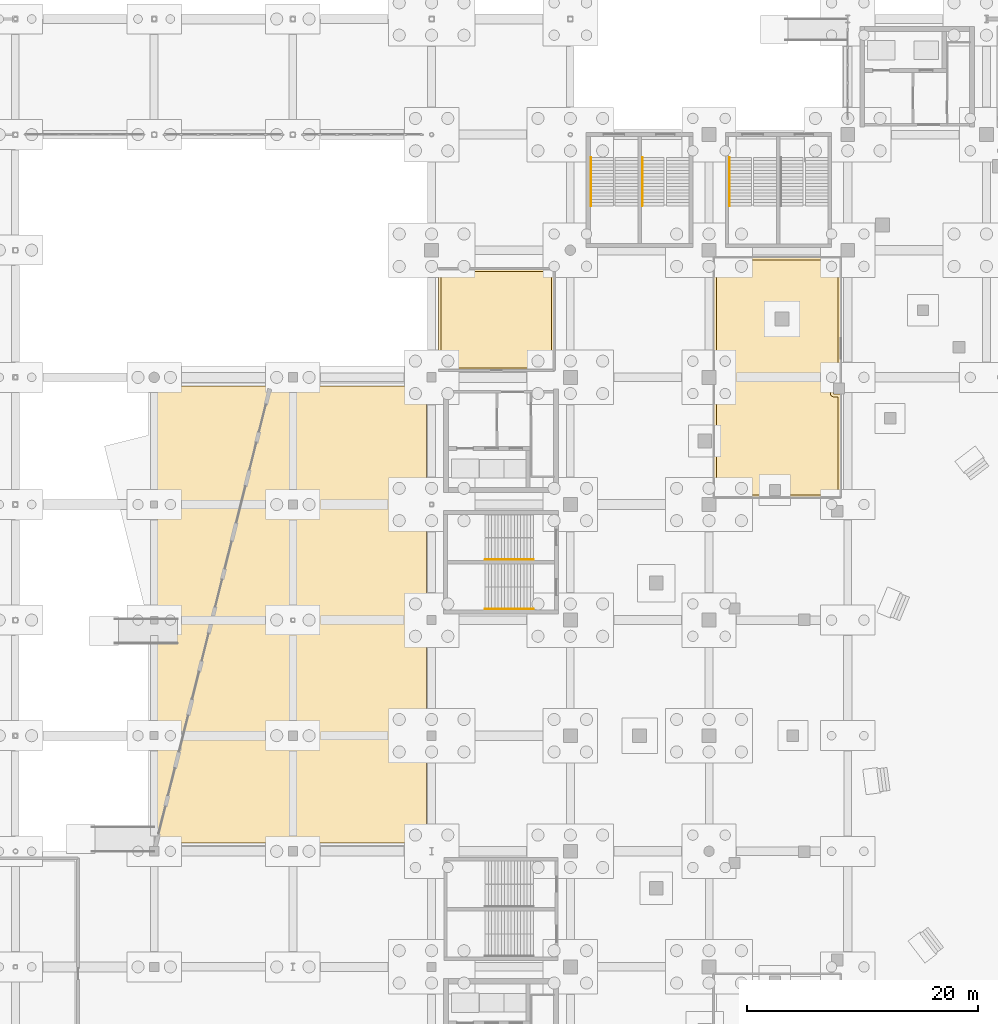
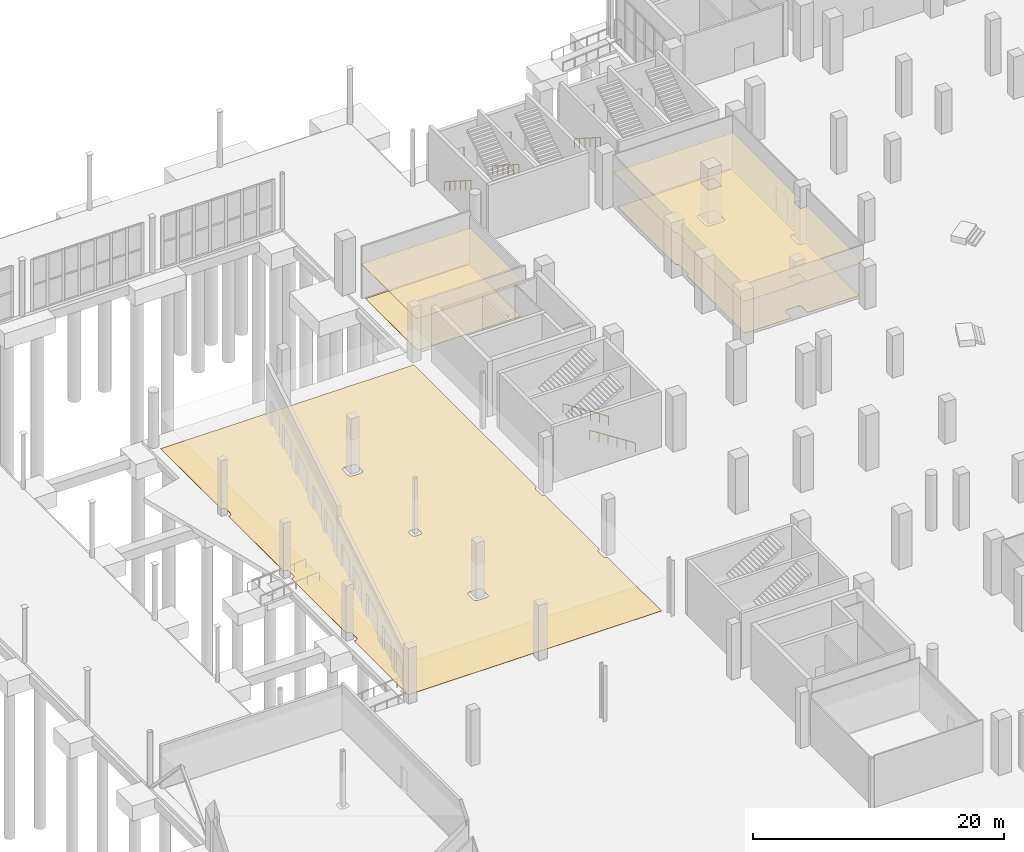
# One storey, part 65 of 70: 5 coverings, 5 railings.
"""IFC4 building model written with IfcOpenShell, lengths in metres."""

from ifc_helpers import new_model, si_unit, direction, frame, origin, origin_2d, place, context, subcontext, project, spatial, polyline, circle, outline, extrude, material, layer, layer_set, type_object, element, save


model = new_model("IFC4")

# Units and contexts
model_context = context("Model", 3, precision=1e-05, world=origin(), true_north=direction((0.0, 1.0)))
body_context = subcontext(model_context, "Body", "Model", "MODEL_VIEW")
ifc_project = project(units=[si_unit("LENGTHUNIT", "METRE"), si_unit("AREAUNIT", "SQUARE_METRE"), si_unit("VOLUMEUNIT", "CUBIC_METRE"), si_unit("PLANEANGLEUNIT", "RADIAN"), si_unit("MASSUNIT", "GRAM", prefix="KILO")], contexts=[model_context])

# Site, building, storey
site_placement = place(None, origin())
site = spatial("IfcSite", under=ifc_project, at=site_placement, CompositionType="ELEMENT")
building_placement = place(site_placement, origin())
building = spatial("IfcBuilding", under=site, at=building_placement, Name="Brinegate Civic Arena", CompositionType="ELEMENT")
storey_placement = place(building_placement, origin())
storey = spatial("IfcBuildingStorey", under=building, at=storey_placement, Name="L00", CompositionType="ELEMENT", Elevation=0.0)

# Coverings
ifc_material_1 = material(Name="Acoustic perforated aluminium ceiling", Category="aluminium")
ifc_layer_1 = layer(ifc_material_1, 0.044921875, Name="Acoustic perforated aluminium ceiling")
ifc_layer_set_1 = layer_set([ifc_layer_1], Name="Acoustic perforated aluminium ceiling")
covering_type_1 = type_object("IfcCoveringType", Name="CEILING-BAFFLE-45", PredefinedType="CEILING", material=ifc_layer_set_1)
covering_1_placement = place(storey_placement, frame((0.0, 0.0, 3.304931640625)))
element("IfcCovering", 1, at=covering_1_placement, inside=storey, type_object=covering_type_1, Name="Acoustic Ceiling L00-020", PredefinedType="CEILING", context=body_context, shape_type="SweptSolid", body=[
    extrude(outline(polyline([(58.60400390625, 102.419921875), (58.60595703125, 102.4189453125), (58.60791015625, 102.41796875), (58.60888671875, 102.41796875), (58.611083984375, 102.4169921875), (58.613037109375, 102.4150390625), (58.614013671875, 102.4140625), (58.614990234375, 102.4130859375), (58.616943359375, 102.410888671875), (58.617919921875, 102.408935546875), (58.617919921875, 102.407958984375), (58.618896484375, 102.406005859375), (58.6201171875, 102.404052734375), (58.6201171875, 102.402099609375), (58.6201171875, 102.39990234375), (58.6201171875, 93.60009765625), (58.6201171875, 93.597900390625), (58.6201171875, 93.595947265625), (58.618896484375, 93.593994140625), (58.617919921875, 93.592041015625), (58.617919921875, 93.591064453125), (58.616943359375, 93.589111328125), (58.614990234375, 93.5869140625), (58.614013671875, 93.5859375), (58.613037109375, 93.5849609375), (58.611083984375, 93.5830078125), (58.60888671875, 93.58203125), (58.60791015625, 93.58203125), (58.60595703125, 93.5810546875), (58.60400390625, 93.580078125), (58.60205078125, 93.580078125), (58.60009765625, 93.580078125), (48.60009765625, 93.580078125), (48.597900390625, 93.580078125), (48.595947265625, 93.580078125), (48.593994140625, 93.5810546875), (48.592041015625, 93.58203125), (48.591064453125, 93.58203125), (48.589111328125, 93.5830078125), (48.5869140625, 93.5849609375), (48.5859375, 93.5859375), (48.5849609375, 93.5869140625), (48.5830078125, 93.589111328125), (48.58203125, 93.591064453125), (48.58203125, 93.592041015625), (48.5810546875, 93.593994140625), (48.580078125, 93.595947265625), (48.580078125, 93.597900390625), (48.580078125, 93.60009765625), (48.580078125, 102.39990234375), (48.580078125, 102.402099609375), (48.580078125, 102.404052734375), (48.5810546875, 102.406005859375), (48.58203125, 102.407958984375), (48.58203125, 102.408935546875), (48.5830078125, 102.410888671875), (48.5849609375, 102.4130859375), (48.5859375, 102.4140625), (48.5869140625, 102.4150390625), (48.589111328125, 102.4169921875), (48.591064453125, 102.41796875), (48.592041015625, 102.41796875), (48.593994140625, 102.4189453125), (48.595947265625, 102.419921875), (48.597900390625, 102.419921875), (48.60009765625, 102.419921875), (58.60009765625, 102.419921875), (58.60205078125, 102.419921875), (58.60400390625, 102.419921875)])), origin(), (0.0, 0.0, 1.0), 0.045166015625),
])
covering_2_placement = place(storey_placement, frame((0.0, 0.0, 3.304931640625)))
element("IfcCovering", 2, at=covering_2_placement, inside=storey, type_object=covering_type_1, Name="Acoustic Ceiling L00-024", PredefinedType="CEILING", context=body_context, shape_type="SweptSolid", body=[
    extrude(outline(polyline([(82.76611328125, 92.537109375), (82.76611328125, 91.56689453125), (83.419921875, 91.56689453125), (83.419921875, 82.60009765625), (83.419921875, 82.597900390625), (83.419921875, 82.595947265625), (83.4189453125, 82.593994140625), (83.41796875, 82.592041015625), (83.41796875, 82.591064453125), (83.4169921875, 82.589111328125), (83.4150390625, 82.5869140625), (83.4140625, 82.5859375), (83.4130859375, 82.5849609375), (83.410888671875, 82.5830078125), (83.408935546875, 82.58203125), (83.407958984375, 82.58203125), (83.406005859375, 82.5810546875), (83.404052734375, 82.580078125), (83.402099609375, 82.580078125), (83.39990234375, 82.580078125), (72.610107421875, 82.580078125), (72.610107421875, 82.610107421875), (72.3798828125, 82.610107421875), (72.3798828125, 92.389892578125), (72.610107421875, 92.389892578125), (72.610107421875, 93.610107421875), (72.3798828125, 93.610107421875), (72.3798828125, 103.389892578125), (72.610107421875, 103.389892578125), (72.610107421875, 103.419921875), (83.389892578125, 103.419921875), (83.389892578125, 103.389892578125), (83.419921875, 103.389892578125), (83.419921875, 92.537109375), (82.76611328125, 92.537109375)]), holes=[polyline([(78.174072265625, 82.764892578125), (78.174072265625, 83.735107421875), (77.2041015625, 83.735107421875), (77.2041015625, 82.764892578125), (78.174072265625, 82.764892578125)]), polyline([(78.912109375, 98.672119140625), (77.69189453125, 98.672119140625), (77.69189453125, 97.451904296875), (78.912109375, 97.451904296875), (78.912109375, 98.672119140625)])]), origin(), (0.0, 0.0, 1.0), 0.045166015625),
])
ifc_material_2 = material(Name="Polished coral terrazzo flooring")
ifc_layer_2 = layer(ifc_material_2, 0.013916015625, Name="Polished coral terrazzo flooring")
ifc_layer_set_2 = layer_set([ifc_layer_2], Name="Polished coral terrazzo flooring")
covering_type_2 = type_object("IfcCoveringType", Name="FLOORING-ACOUSTIC-14", PredefinedType="FLOORING", material=ifc_layer_set_2)
covering_3_placement = place(storey_placement, origin())
element("IfcCovering", 3, at=covering_3_placement, inside=storey, type_object=covering_type_2, Name="Flooring L00-021", PredefinedType="FLOORING", context=body_context, shape_type="SweptSolid", body=[
    extrude(outline(polyline([(24.22998046875, 92.27001953125), (47.570068359375, 92.27001953125), (47.570068359375, 82.235107421875), (47.570068359375, 82.23388671875), (47.56591796875, 82.2099609375), (47.56494140625, 82.18505859375), (47.56494140625, 81.81494140625), (47.56591796875, 81.7900390625), (47.570068359375, 81.76611328125), (47.570068359375, 81.764892578125), (47.570068359375, 72.658935546875), (47.56494140625, 72.658935546875), (47.541015625, 72.655029296875), (47.51708984375, 72.64892578125), (47.493896484375, 72.64111328125), (47.471923828125, 72.6298828125), (47.450927734375, 72.617919921875), (47.430908203125, 72.60302734375), (47.4130859375, 72.5869140625), (47.39697265625, 72.569091796875), (47.382080078125, 72.549072265625), (47.3701171875, 72.528076171875), (47.35888671875, 72.506103515625), (47.35107421875, 72.48291015625), (47.344970703125, 72.458984375), (47.341064453125, 72.43505859375), (47.340087890625, 72.409912109375), (47.340087890625, 71.590087890625), (47.341064453125, 71.56494140625), (47.344970703125, 71.541015625), (47.35107421875, 71.51708984375), (47.35888671875, 71.493896484375), (47.3701171875, 71.471923828125), (47.382080078125, 71.450927734375), (47.39697265625, 71.430908203125), (47.4130859375, 71.4130859375), (47.430908203125, 71.39697265625), (47.450927734375, 71.382080078125), (47.471923828125, 71.3701171875), (47.493896484375, 71.35888671875), (47.51708984375, 71.35107421875), (47.541015625, 71.344970703125), (47.56494140625, 71.341064453125), (47.570068359375, 71.341064453125), (47.570068359375, 62.658935546875), (47.56494140625, 62.658935546875), (47.541015625, 62.655029296875), (47.51708984375, 62.64892578125), (47.493896484375, 62.64111328125), (47.471923828125, 62.6298828125), (47.450927734375, 62.617919921875), (47.430908203125, 62.60302734375), (47.4130859375, 62.5869140625), (47.39697265625, 62.569091796875), (47.382080078125, 62.549072265625), (47.3701171875, 62.528076171875), (47.35888671875, 62.506103515625), (47.35107421875, 62.48291015625), (47.344970703125, 62.458984375), (47.341064453125, 62.43505859375), (47.340087890625, 62.409912109375), (47.340087890625, 61.590087890625), (47.341064453125, 61.56494140625), (47.344970703125, 61.541015625), (47.35107421875, 61.51708984375), (47.35888671875, 61.493896484375), (47.3701171875, 61.471923828125), (47.382080078125, 61.450927734375), (47.39697265625, 61.430908203125), (47.4130859375, 61.4130859375), (47.430908203125, 61.39697265625), (47.450927734375, 61.382080078125), (47.471923828125, 61.3701171875), (47.493896484375, 61.35888671875), (47.51708984375, 61.35107421875), (47.541015625, 61.344970703125), (47.56494140625, 61.341064453125), (47.570068359375, 61.341064453125), (47.570068359375, 52.72998046875), (24.22998046875, 52.72998046875), (24.22998046875, 61.389892578125), (24.360107421875, 61.389892578125), (24.385009765625, 61.39111328125), (24.408935546875, 61.39501953125), (24.43310546875, 61.40087890625), (24.4560546875, 61.408935546875), (24.47802734375, 61.419921875), (24.4990234375, 61.431884765625), (24.51904296875, 61.447021484375), (24.537109375, 61.462890625), (24.552978515625, 61.48095703125), (24.568115234375, 61.5009765625), (24.580078125, 61.52197265625), (24.591064453125, 61.5439453125), (24.59912109375, 61.56689453125), (24.60498046875, 61.591064453125), (24.60888671875, 61.614990234375), (24.610107421875, 61.639892578125), (24.610107421875, 62.360107421875), (24.60888671875, 62.385009765625), (24.60498046875, 62.408935546875), (24.59912109375, 62.43310546875), (24.591064453125, 62.4560546875), (24.580078125, 62.47802734375), (24.568115234375, 62.4990234375), (24.552978515625, 62.51904296875), (24.537109375, 62.537109375), (24.51904296875, 62.552978515625), (24.4990234375, 62.568115234375), (24.47802734375, 62.580078125), (24.4560546875, 62.591064453125), (24.43310546875, 62.59912109375), (24.408935546875, 62.60498046875), (24.385009765625, 62.60888671875), (24.360107421875, 62.610107421875), (24.22998046875, 62.610107421875), (24.22998046875, 71.4150390625), (24.3349609375, 71.4150390625), (24.360107421875, 71.416015625), (24.384033203125, 71.419921875), (24.407958984375, 71.426025390625), (24.430908203125, 71.43408203125), (24.452880859375, 71.445068359375), (24.47412109375, 71.45703125), (24.493896484375, 71.471923828125), (24.511962890625, 71.488037109375), (24.528076171875, 71.506103515625), (24.54296875, 71.52587890625), (24.554931640625, 71.547119140625), (24.56591796875, 71.569091796875), (24.573974609375, 71.592041015625), (24.580078125, 71.615966796875), (24.583984375, 71.639892578125), (24.5849609375, 71.6650390625), (24.5849609375, 72.3349609375), (24.583984375, 72.360107421875), (24.580078125, 72.384033203125), (24.573974609375, 72.407958984375), (24.56591796875, 72.430908203125), (24.554931640625, 72.452880859375), (24.54296875, 72.47412109375), (24.528076171875, 72.493896484375), (24.511962890625, 72.511962890625), (24.493896484375, 72.528076171875), (24.47412109375, 72.54296875), (24.452880859375, 72.554931640625), (24.430908203125, 72.56591796875), (24.407958984375, 72.573974609375), (24.384033203125, 72.580078125), (24.360107421875, 72.583984375), (24.3349609375, 72.5849609375), (24.22998046875, 72.5849609375), (24.22998046875, 81.43994140625), (24.31005859375, 81.43994140625), (24.3349609375, 81.44091796875), (24.35888671875, 81.445068359375), (24.383056640625, 81.450927734375), (24.406005859375, 81.458984375), (24.427978515625, 81.469970703125), (24.448974609375, 81.48193359375), (24.468994140625, 81.4970703125), (24.487060546875, 81.512939453125), (24.5029296875, 81.531005859375), (24.51806640625, 81.551025390625), (24.530029296875, 81.572021484375), (24.541015625, 81.593994140625), (24.549072265625, 81.616943359375), (24.554931640625, 81.64111328125), (24.55908203125, 81.6650390625), (24.56005859375, 81.68994140625), (24.56005859375, 82.31005859375), (24.55908203125, 82.3349609375), (24.554931640625, 82.35888671875), (24.549072265625, 82.383056640625), (24.541015625, 82.406005859375), (24.530029296875, 82.427978515625), (24.51806640625, 82.448974609375), (24.5029296875, 82.468994140625), (24.487060546875, 82.487060546875), (24.468994140625, 82.5029296875), (24.448974609375, 82.51806640625), (24.427978515625, 82.530029296875), (24.406005859375, 82.541015625), (24.383056640625, 82.549072265625), (24.35888671875, 82.554931640625), (24.3349609375, 82.55908203125), (24.31005859375, 82.56005859375), (24.22998046875, 82.56005859375), (24.22998046875, 92.27001953125)]), holes=[polyline([(36.659912109375, 62.409912109375), (36.658935546875, 62.43505859375), (36.655029296875, 62.458984375), (36.64892578125, 62.48291015625), (36.64111328125, 62.506103515625), (36.6298828125, 62.528076171875), (36.617919921875, 62.549072265625), (36.60302734375, 62.569091796875), (36.5869140625, 62.5869140625), (36.569091796875, 62.60302734375), (36.549072265625, 62.617919921875), (36.528076171875, 62.6298828125), (36.506103515625, 62.64111328125), (36.48291015625, 62.64892578125), (36.458984375, 62.655029296875), (36.43505859375, 62.658935546875), (36.409912109375, 62.659912109375), (35.590087890625, 62.659912109375), (35.56494140625, 62.658935546875), (35.541015625, 62.655029296875), (35.51708984375, 62.64892578125), (35.493896484375, 62.64111328125), (35.471923828125, 62.6298828125), (35.450927734375, 62.617919921875), (35.430908203125, 62.60302734375), (35.4130859375, 62.5869140625), (35.39697265625, 62.569091796875), (35.382080078125, 62.549072265625), (35.3701171875, 62.528076171875), (35.35888671875, 62.506103515625), (35.35107421875, 62.48291015625), (35.344970703125, 62.458984375), (35.341064453125, 62.43505859375), (35.340087890625, 62.409912109375), (35.340087890625, 61.590087890625), (35.341064453125, 61.56494140625), (35.344970703125, 61.541015625), (35.35107421875, 61.51708984375), (35.35888671875, 61.493896484375), (35.3701171875, 61.471923828125), (35.382080078125, 61.450927734375), (35.39697265625, 61.430908203125), (35.4130859375, 61.4130859375), (35.430908203125, 61.39697265625), (35.450927734375, 61.382080078125), (35.471923828125, 61.3701171875), (35.493896484375, 61.35888671875), (35.51708984375, 61.35107421875), (35.541015625, 61.344970703125), (35.56494140625, 61.341064453125), (35.590087890625, 61.340087890625), (36.409912109375, 61.340087890625), (36.43505859375, 61.341064453125), (36.458984375, 61.344970703125), (36.48291015625, 61.35107421875), (36.506103515625, 61.35888671875), (36.528076171875, 61.3701171875), (36.549072265625, 61.382080078125), (36.569091796875, 61.39697265625), (36.5869140625, 61.4130859375), (36.60302734375, 61.430908203125), (36.617919921875, 61.450927734375), (36.6298828125, 61.471923828125), (36.64111328125, 61.493896484375), (36.64892578125, 61.51708984375), (36.655029296875, 61.541015625), (36.658935546875, 61.56494140625), (36.659912109375, 61.590087890625), (36.659912109375, 62.409912109375)]), polyline([(36.659912109375, 82.409912109375), (36.658935546875, 82.43505859375), (36.655029296875, 82.458984375), (36.64892578125, 82.48291015625), (36.64111328125, 82.506103515625), (36.6298828125, 82.528076171875), (36.617919921875, 82.549072265625), (36.60302734375, 82.569091796875), (36.5869140625, 82.5869140625), (36.569091796875, 82.60302734375), (36.549072265625, 82.617919921875), (36.528076171875, 82.6298828125), (36.506103515625, 82.64111328125), (36.48291015625, 82.64892578125), (36.458984375, 82.655029296875), (36.43505859375, 82.658935546875), (36.409912109375, 82.659912109375), (35.590087890625, 82.659912109375), (35.56494140625, 82.658935546875), (35.541015625, 82.655029296875), (35.51708984375, 82.64892578125), (35.493896484375, 82.64111328125), (35.471923828125, 82.6298828125), (35.450927734375, 82.617919921875), (35.430908203125, 82.60302734375), (35.4130859375, 82.5869140625), (35.39697265625, 82.569091796875), (35.382080078125, 82.549072265625), (35.3701171875, 82.528076171875), (35.35888671875, 82.506103515625), (35.35107421875, 82.48291015625), (35.344970703125, 82.458984375), (35.341064453125, 82.43505859375), (35.340087890625, 82.409912109375), (35.340087890625, 81.590087890625), (35.341064453125, 81.56494140625), (35.344970703125, 81.541015625), (35.35107421875, 81.51708984375), (35.35888671875, 81.493896484375), (35.3701171875, 81.471923828125), (35.382080078125, 81.450927734375), (35.39697265625, 81.430908203125), (35.4130859375, 81.4130859375), (35.430908203125, 81.39697265625), (35.450927734375, 81.382080078125), (35.471923828125, 81.3701171875), (35.493896484375, 81.35888671875), (35.51708984375, 81.35107421875), (35.541015625, 81.344970703125), (35.56494140625, 81.341064453125), (35.590087890625, 81.340087890625), (36.409912109375, 81.340087890625), (36.43505859375, 81.341064453125), (36.458984375, 81.344970703125), (36.48291015625, 81.35107421875), (36.506103515625, 81.35888671875), (36.528076171875, 81.3701171875), (36.549072265625, 81.382080078125), (36.569091796875, 81.39697265625), (36.5869140625, 81.4130859375), (36.60302734375, 81.430908203125), (36.617919921875, 81.450927734375), (36.6298828125, 81.471923828125), (36.64111328125, 81.493896484375), (36.64892578125, 81.51708984375), (36.655029296875, 81.541015625), (36.658935546875, 81.56494140625), (36.659912109375, 81.590087890625), (36.659912109375, 82.409912109375)]), polyline([(36.43505859375, 72.18505859375), (36.43408203125, 72.2099609375), (36.429931640625, 72.23388671875), (36.424072265625, 72.258056640625), (36.416015625, 72.281005859375), (36.405029296875, 72.302978515625), (36.39306640625, 72.323974609375), (36.3779296875, 72.343994140625), (36.362060546875, 72.362060546875), (36.343994140625, 72.3779296875), (36.323974609375, 72.39306640625), (36.302978515625, 72.405029296875), (36.281005859375, 72.416015625), (36.258056640625, 72.424072265625), (36.23388671875, 72.429931640625), (36.2099609375, 72.43408203125), (36.18505859375, 72.43505859375), (35.81494140625, 72.43505859375), (35.7900390625, 72.43408203125), (35.76611328125, 72.429931640625), (35.741943359375, 72.424072265625), (35.718994140625, 72.416015625), (35.697021484375, 72.405029296875), (35.676025390625, 72.39306640625), (35.656005859375, 72.3779296875), (35.637939453125, 72.362060546875), (35.6220703125, 72.343994140625), (35.60693359375, 72.323974609375), (35.594970703125, 72.302978515625), (35.583984375, 72.281005859375), (35.575927734375, 72.258056640625), (35.570068359375, 72.23388671875), (35.56591796875, 72.2099609375), (35.56494140625, 72.18505859375), (35.56494140625, 71.81494140625), (35.56591796875, 71.7900390625), (35.570068359375, 71.76611328125), (35.575927734375, 71.741943359375), (35.583984375, 71.718994140625), (35.594970703125, 71.697021484375), (35.60693359375, 71.676025390625), (35.6220703125, 71.656005859375), (35.637939453125, 71.637939453125), (35.656005859375, 71.6220703125), (35.676025390625, 71.60693359375), (35.697021484375, 71.594970703125), (35.718994140625, 71.583984375), (35.741943359375, 71.575927734375), (35.76611328125, 71.570068359375), (35.7900390625, 71.56591796875), (35.81494140625, 71.56494140625), (36.18505859375, 71.56494140625), (36.2099609375, 71.56591796875), (36.23388671875, 71.570068359375), (36.258056640625, 71.575927734375), (36.281005859375, 71.583984375), (36.302978515625, 71.594970703125), (36.323974609375, 71.60693359375), (36.343994140625, 71.6220703125), (36.362060546875, 71.637939453125), (36.3779296875, 71.656005859375), (36.39306640625, 71.676025390625), (36.405029296875, 71.697021484375), (36.416015625, 71.718994140625), (36.424072265625, 71.741943359375), (36.429931640625, 71.76611328125), (36.43408203125, 71.7900390625), (36.43505859375, 71.81494140625), (36.43505859375, 72.18505859375)])]), origin(), (0.0, 0.0, 1.0), 0.013916015625),
])
ifc_material_3 = material(Name="Slip-resistant porcelain tile flooring")
ifc_layer_3 = layer(ifc_material_3, 0.02001953125, Name="Slip-resistant porcelain tile flooring")
ifc_layer_set_3 = layer_set([ifc_layer_3], Name="Slip-resistant porcelain tile flooring")
covering_type_3 = type_object("IfcCoveringType", Name="FLOORING-PORCELAIN-20", PredefinedType="FLOORING", material=ifc_layer_set_3)
covering_4_placement = place(storey_placement, origin())
element("IfcCovering", 4, at=covering_4_placement, inside=storey, type_object=covering_type_3, Name="Flooring L00-020", PredefinedType="FLOORING", context=body_context, shape_type="SweptSolid", body=[
    extrude(outline(polyline([(48.830078125, 93.830078125), (48.830078125, 102.169921875), (58.3701171875, 102.169921875), (58.3701171875, 93.830078125), (48.830078125, 93.830078125)])), origin(), (0.0, 0.0, 1.0), 0.02001953125),
])
ifc_layer_4 = layer(ifc_material_2, 0.028076171875, Name="Polished coral terrazzo flooring")
ifc_layer_set_4 = layer_set([ifc_layer_4], Name="Polished coral terrazzo flooring")
covering_type_4 = type_object("IfcCoveringType", Name="FLOORING-TERRAZZO-28", PredefinedType="FLOORING", material=ifc_layer_set_4)
covering_5_placement = place(storey_placement, origin())
element("IfcCovering", 5, at=covering_5_placement, inside=storey, type_object=covering_type_4, Name="Flooring L00-024", PredefinedType="FLOORING", context=body_context, shape_type="SweptSolid", body=[
    extrude(outline(polyline([(72.72900390625, 82.830078125), (72.72802734375, 82.830078125), (72.7060546875, 82.841064453125), (72.68310546875, 82.84912109375), (72.658935546875, 82.85498046875), (72.635009765625, 82.85888671875), (72.6298828125, 82.85888671875), (72.6298828125, 92.14111328125), (72.635009765625, 92.14111328125), (72.658935546875, 92.14501953125), (72.68310546875, 92.15087890625), (72.7060546875, 92.158935546875), (72.72802734375, 92.169921875), (72.7490234375, 92.181884765625), (72.76904296875, 92.197021484375), (72.787109375, 92.212890625), (72.802978515625, 92.23095703125), (72.818115234375, 92.2509765625), (72.830078125, 92.27197265625), (72.841064453125, 92.2939453125), (72.84912109375, 92.31689453125), (72.85498046875, 92.341064453125), (72.85888671875, 92.364990234375), (72.860107421875, 92.389892578125), (72.860107421875, 93.610107421875), (72.85888671875, 93.635009765625), (72.85498046875, 93.658935546875), (72.84912109375, 93.68310546875), (72.841064453125, 93.7060546875), (72.830078125, 93.72802734375), (72.818115234375, 93.7490234375), (72.802978515625, 93.76904296875), (72.787109375, 93.787109375), (72.76904296875, 93.802978515625), (72.7490234375, 93.818115234375), (72.72802734375, 93.830078125), (72.7060546875, 93.841064453125), (72.68310546875, 93.84912109375), (72.658935546875, 93.85498046875), (72.635009765625, 93.85888671875), (72.6298828125, 93.85888671875), (72.6298828125, 103.14111328125), (72.635009765625, 103.14111328125), (72.658935546875, 103.14501953125), (72.68310546875, 103.15087890625), (72.7060546875, 103.158935546875), (72.72802734375, 103.169921875), (72.72900390625, 103.169921875), (83.169921875, 103.169921875), (83.169921875, 92.787109375), (82.76611328125, 92.787109375), (82.740966796875, 92.785888671875), (82.717041015625, 92.781982421875), (82.693115234375, 92.77587890625), (82.669921875, 92.76806640625), (82.64794921875, 92.757080078125), (82.626953125, 92.7451171875), (82.60693359375, 92.72998046875), (82.589111328125, 92.714111328125), (82.572998046875, 92.696044921875), (82.55810546875, 92.676025390625), (82.5458984375, 92.655029296875), (82.534912109375, 92.633056640625), (82.527099609375, 92.610107421875), (82.52099609375, 92.5859375), (82.51708984375, 92.56201171875), (82.51611328125, 92.537109375), (82.51611328125, 91.56689453125), (82.51708984375, 91.5419921875), (82.52099609375, 91.51806640625), (82.527099609375, 91.493896484375), (82.534912109375, 91.470947265625), (82.5458984375, 91.448974609375), (82.55810546875, 91.427978515625), (82.572998046875, 91.407958984375), (82.589111328125, 91.389892578125), (82.60693359375, 91.3740234375), (82.626953125, 91.35888671875), (82.64794921875, 91.346923828125), (82.669921875, 91.3359375), (82.693115234375, 91.327880859375), (82.717041015625, 91.322021484375), (82.740966796875, 91.318115234375), (82.76611328125, 91.31689453125), (83.169921875, 91.31689453125), (83.169921875, 82.830078125), (78.424072265625, 82.830078125), (78.424072265625, 83.735107421875), (78.423095703125, 83.760009765625), (78.4189453125, 83.783935546875), (78.4130859375, 83.80810546875), (78.405029296875, 83.8310546875), (78.39404296875, 83.85302734375), (78.382080078125, 83.8740234375), (78.366943359375, 83.89404296875), (78.35107421875, 83.912109375), (78.3330078125, 83.927978515625), (78.31298828125, 83.943115234375), (78.2919921875, 83.955078125), (78.27001953125, 83.966064453125), (78.2470703125, 83.97412109375), (78.222900390625, 83.97998046875), (78.198974609375, 83.98388671875), (78.174072265625, 83.985107421875), (77.2041015625, 83.985107421875), (77.178955078125, 83.98388671875), (77.155029296875, 83.97998046875), (77.131103515625, 83.97412109375), (77.10791015625, 83.966064453125), (77.0859375, 83.955078125), (77.06494140625, 83.943115234375), (77.044921875, 83.927978515625), (77.027099609375, 83.912109375), (77.010986328125, 83.89404296875), (76.99609375, 83.8740234375), (76.98388671875, 83.85302734375), (76.972900390625, 83.8310546875), (76.965087890625, 83.80810546875), (76.958984375, 83.783935546875), (76.955078125, 83.760009765625), (76.9541015625, 83.735107421875), (76.9541015625, 82.830078125), (72.72900390625, 82.830078125)]), holes=[polyline([(79.162109375, 98.672119140625), (79.160888671875, 98.697021484375), (79.156982421875, 98.720947265625), (79.15087890625, 98.7451171875), (79.14306640625, 98.76806640625), (79.132080078125, 98.7900390625), (79.1201171875, 98.81103515625), (79.10498046875, 98.8310546875), (79.089111328125, 98.84912109375), (79.071044921875, 98.864990234375), (79.051025390625, 98.8798828125), (79.030029296875, 98.89208984375), (79.008056640625, 98.903076171875), (78.985107421875, 98.910888671875), (78.9609375, 98.9169921875), (78.93701171875, 98.9208984375), (78.912109375, 98.922119140625), (77.69189453125, 98.922119140625), (77.6669921875, 98.9208984375), (77.64306640625, 98.9169921875), (77.618896484375, 98.910888671875), (77.595947265625, 98.903076171875), (77.573974609375, 98.89208984375), (77.552978515625, 98.8798828125), (77.532958984375, 98.864990234375), (77.514892578125, 98.84912109375), (77.4990234375, 98.8310546875), (77.48388671875, 98.81103515625), (77.471923828125, 98.7900390625), (77.4609375, 98.76806640625), (77.452880859375, 98.7451171875), (77.447021484375, 98.720947265625), (77.443115234375, 98.697021484375), (77.44189453125, 98.672119140625), (77.44189453125, 97.451904296875), (77.443115234375, 97.427001953125), (77.447021484375, 97.403076171875), (77.452880859375, 97.37890625), (77.4609375, 97.35595703125), (77.471923828125, 97.333984375), (77.48388671875, 97.31298828125), (77.4990234375, 97.29296875), (77.514892578125, 97.27490234375), (77.532958984375, 97.259033203125), (77.552978515625, 97.243896484375), (77.573974609375, 97.23193359375), (77.595947265625, 97.220947265625), (77.618896484375, 97.212890625), (77.64306640625, 97.20703125), (77.6669921875, 97.202880859375), (77.69189453125, 97.201904296875), (78.912109375, 97.201904296875), (78.93701171875, 97.202880859375), (78.9609375, 97.20703125), (78.985107421875, 97.212890625), (79.008056640625, 97.220947265625), (79.030029296875, 97.23193359375), (79.051025390625, 97.243896484375), (79.071044921875, 97.259033203125), (79.089111328125, 97.27490234375), (79.10498046875, 97.29296875), (79.1201171875, 97.31298828125), (79.132080078125, 97.333984375), (79.14306640625, 97.35595703125), (79.15087890625, 97.37890625), (79.156982421875, 97.403076171875), (79.160888671875, 97.427001953125), (79.162109375, 97.451904296875), (79.162109375, 98.672119140625)])]), origin(), (0.0, 0.0, 1.0), 0.028076171875),
])

# Railings
ifc_material_4 = material(Name="Architectural stainless steel balustrade", Category="steel")
railing_type = type_object("IfcRailingType", Name="RAIL-STAIR-HANDRAIL-900", PredefinedType="HANDRAIL", material=ifc_material_4)
for number, where, name in (
    (6, (61.804931640625, 107.830078125, 2.699951171875), "Stair Pitch Handrail ST-01A L00"),
    (7, (66.22509765625, 107.830078125, 2.699951171875), "Stair Pitch Handrail ST-01B L00"),
):
    element("IfcRailing", number, at=place(storey_placement, frame(where)), inside=storey, type_object=railing_type, Name=name, PredefinedType="HANDRAIL", context=body_context, shape_type="SweptSolid", body=[
        extrude(circle(Radius=0.02392578125, at=origin_2d()), frame((0.0, 0.001220703125, 0.875), z_axis=(0.0, 0.841180064094, -0.540755119968), x_axis=(-1.0, 0.0, 0.0)), (0.0, 0.0, 1.0), 4.989990234375),
        extrude(circle(Radius=0.02099609375, at=origin_2d()), origin(), (0.0, 0.0, 1.0), 0.849853515625),
        extrude(circle(Radius=0.02099609375, at=origin_2d()), frame((0.0, 0.840087890625, -0.5400390625)), (0.0, 0.0, 1.0), 0.849853515625),
        extrude(circle(Radius=0.02099609375, at=origin_2d()), frame((0.0, 1.679931640625, -1.080078125)), (0.0, 0.0, 1.0), 0.849853515625),
        extrude(circle(Radius=0.02099609375, at=origin_2d()), frame((0.0, 2.52001953125, -1.619873046875)), (0.0, 0.0, 1.0), 0.849853515625),
        extrude(circle(Radius=0.02099609375, at=origin_2d()), frame((0.0, 3.35986328125, -2.159912109375)), (0.0, 0.0, 1.0), 0.849853515625),
        extrude(circle(Radius=0.02099609375, at=origin_2d()), frame((0.0, 4.199951171875, -2.699951171875)), (0.0, 0.0, 1.0), 0.849853515625),
    ])
for number, where, name in (
    (8, (52.6298828125, 72.955078125, 2.699951171875), "Stair Pitch Handrail ST-07A L00"),
    (9, (52.6298828125, 77.22509765625, 2.699951171875), "Stair Pitch Handrail ST-07B L00"),
):
    element("IfcRailing", number, at=place(storey_placement, frame(where)), inside=storey, type_object=railing_type, Name=name, PredefinedType="HANDRAIL", context=body_context, shape_type="SweptSolid", body=[
        extrude(circle(Radius=0.02392578125, at=origin_2d()), frame((0.001220703125, 0.0, 0.875), z_axis=(0.841194361566, 0.0, -0.540732878665), x_axis=(0.0, 1.0, 0.0)), (0.0, 0.0, 1.0), 4.990234375),
        extrude(circle(Radius=0.02099609375, at=origin_2d()), origin(), (0.0, 0.0, 1.0), 0.849853515625),
        extrude(circle(Radius=0.02099609375, at=origin_2d()), frame((0.840087890625, 0.0, -0.5400390625)), (0.0, 0.0, 1.0), 0.849853515625),
        extrude(circle(Radius=0.02099609375, at=origin_2d()), frame((1.68017578125, 0.0, -1.080078125)), (0.0, 0.0, 1.0), 0.849853515625),
        extrude(circle(Radius=0.02099609375, at=origin_2d()), frame((2.52001953125, 0.0, -1.619873046875)), (0.0, 0.0, 1.0), 0.849853515625),
        extrude(circle(Radius=0.02099609375, at=origin_2d()), frame((3.360107421875, 0.0, -2.159912109375)), (0.0, 0.0, 1.0), 0.849853515625),
        extrude(circle(Radius=0.02099609375, at=origin_2d()), frame((4.2001953125, 0.0, -2.699951171875)), (0.0, 0.0, 1.0), 0.849853515625),
    ])
railing_placement = place(storey_placement, frame((73.77490234375, 107.830078125, 2.699951171875)))
element("IfcRailing", 10, at=railing_placement, inside=storey, type_object=railing_type, Name="Stair Pitch Handrail ST-11A L00", PredefinedType="HANDRAIL", context=body_context, shape_type="SweptSolid", body=[
    extrude(circle(Radius=0.02392578125, at=origin_2d()), frame((0.0, 0.001220703125, 0.875), z_axis=(0.0, 0.841180064094, -0.540755119968), x_axis=(-1.0, 0.0, 0.0)), (0.0, 0.0, 1.0), 4.989990234375),
    extrude(circle(Radius=0.02099609375, at=origin_2d()), origin(), (0.0, 0.0, 1.0), 0.849853515625),
    extrude(circle(Radius=0.02099609375, at=origin_2d()), frame((0.0, 0.840087890625, -0.5400390625)), (0.0, 0.0, 1.0), 0.849853515625),
    extrude(circle(Radius=0.02099609375, at=origin_2d()), frame((0.0, 1.679931640625, -1.080078125)), (0.0, 0.0, 1.0), 0.849853515625),
    extrude(circle(Radius=0.02099609375, at=origin_2d()), frame((0.0, 2.52001953125, -1.619873046875)), (0.0, 0.0, 1.0), 0.849853515625),
    extrude(circle(Radius=0.02099609375, at=origin_2d()), frame((0.0, 3.35986328125, -2.159912109375)), (0.0, 0.0, 1.0), 0.849853515625),
    extrude(circle(Radius=0.02099609375, at=origin_2d()), frame((0.0, 4.199951171875, -2.699951171875)), (0.0, 0.0, 1.0), 0.849853515625),
])

save(model, "model.ifc")
